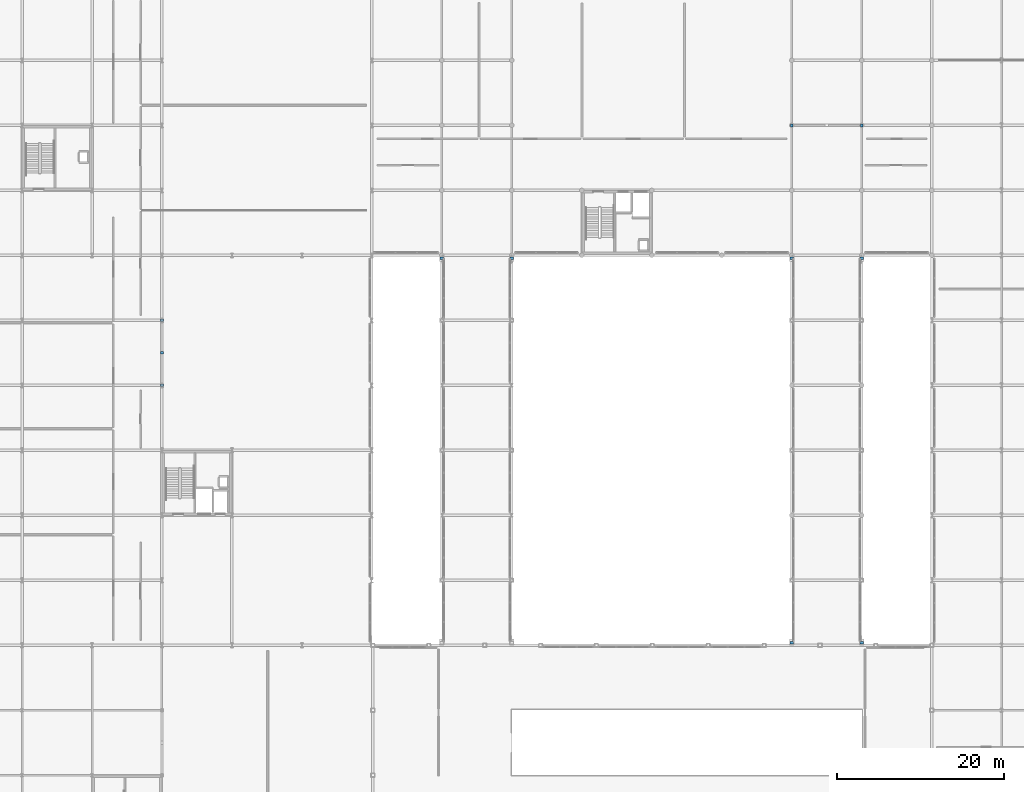
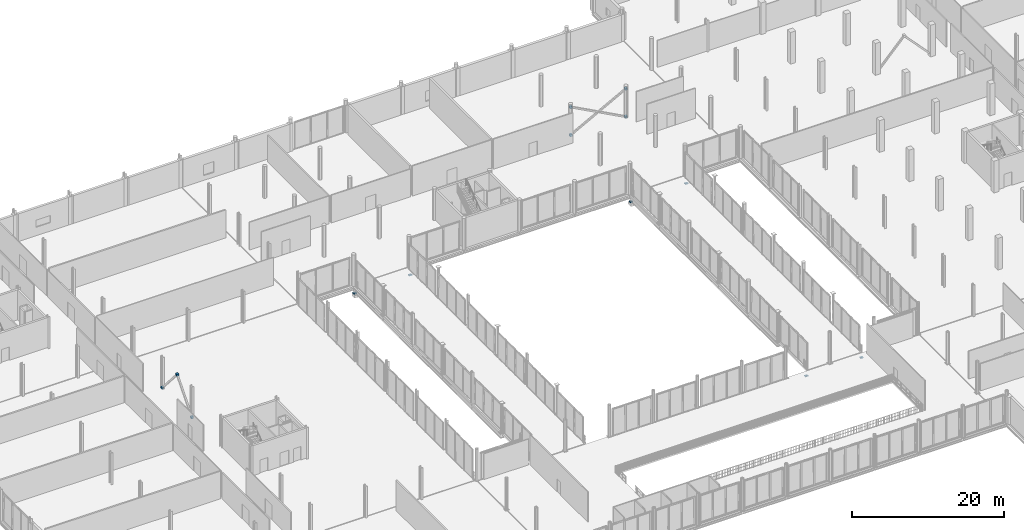
# One storey, part 89 of 105: 13 discrete accessories.
"""IFC4 building model written with IfcOpenShell, lengths in metres."""

from ifc_helpers import new_model, si_unit, direction, frame, origin, origin_2d, place, context, subcontext, project, spatial, rectangle, extrude, material, layer, layer_set, type_object, element, save


model = new_model("IFC4")

# Units and contexts
model_context = context("Model", 3, precision=1e-05, world=origin(), true_north=direction((0.0, 1.0)))
body_context = subcontext(model_context, "Body", "Model", "MODEL_VIEW")
ifc_project = project(units=[si_unit("LENGTHUNIT", "METRE"), si_unit("AREAUNIT", "SQUARE_METRE"), si_unit("VOLUMEUNIT", "CUBIC_METRE"), si_unit("PLANEANGLEUNIT", "RADIAN"), si_unit("MASSUNIT", "GRAM", prefix="KILO")], contexts=[model_context])

# Site, building, storey
site_placement = place(None, origin())
site = spatial("IfcSite", under=ifc_project, at=site_placement, CompositionType="ELEMENT")
building_placement = place(site_placement, origin())
building = spatial("IfcBuilding", under=site, at=building_placement, Name="Nabrawat Pavilion Hospital", CompositionType="ELEMENT")
storey_placement = place(building_placement, frame((0.0, 0.0, 5.10009765625)))
storey = spatial("IfcBuildingStorey", under=building, at=storey_placement, Name="L01", CompositionType="ELEMENT", Elevation=5.10009765625)

# Discrete accessories
ifc_material = material(Name="Steel S355", Category="steel")
ifc_layer_1 = layer(ifc_material, 0.02001953125, Name="Steel S355")
ifc_layer_set_1 = layer_set([ifc_layer_1], Name="Steel S355")
discrete_accessory_type_1 = type_object("IfcDiscreteAccessoryType", Name="Brace and Strut Gusset End Bracket 20", PredefinedType="BRACKET", material=ifc_layer_set_1)
for number, where, z_axis, x_axis, name in (
    (1, (109.199951171875, 101.39990234375, -0.1201171875), (0.0, 0.0, 1.0), (1.0, 0.0, 0.0), "L01 Brace and Strut Gusset End Connection 0025"),
    (2, (117.60009765625, 101.39990234375, 4.3798828125), (0.0, 0.0, 1.0), (1.0, 0.0, 0.0), "L01 Brace and Strut Gusset End Connection 0026"),
    (3, (109.199951171875, 101.39990234375, 4.3798828125), (0.0, 0.0, 1.0), (1.0, 0.0, 0.0), "L01 Brace and Strut Gusset End Connection 0027"),
    (4, (117.60009765625, 101.39990234375, -0.1201171875), (0.0, 0.0, 1.0), (1.0, 0.0, 0.0), "L01 Brace and Strut Gusset End Connection 0028"),
    (5, (33.60009765625, 74.10009765625, 4.3798828125), (0.0, 0.0, 1.0), (1.0, 0.0, 0.0), "L01 Brace and Strut Gusset End Connection 0039"),
    (6, (33.60009765625, 70.199951171875, -0.1201171875), (0.0, 0.0, 1.0), (1.0, 0.0, 0.0), "L01 Brace and Strut Gusset End Connection 0040"),
    (7, (33.60009765625, 78.0, -0.1201171875), (0.0, 0.0, 1.0), (1.0, 0.0, 0.0), "L01 Brace and Strut Gusset End Connection 0041"),
):
    element("IfcDiscreteAccessory", number, at=place(storey_placement, frame(where, z_axis=z_axis, x_axis=x_axis)), inside=storey, type_object=discrete_accessory_type_1, Name=name, PredefinedType="BRACKET", context=body_context, shape_type="SweptSolid", body=[
        extrude(rectangle(XDim=0.340087890625, YDim=0.340087890625, at=origin_2d()), origin(), (0.0, 0.0, 1.0), 0.340087890625),
    ])
ifc_layer_2 = layer(ifc_material, 0.139892578125, Name="Steel S355")
ifc_layer_set_2 = layer_set([ifc_layer_2], Name="Steel S355")
discrete_accessory_type_2 = type_object("IfcDiscreteAccessoryType", Name="PTFE Elastomeric Bridge Sliding Bearing", PredefinedType="BRACKET", material=ifc_layer_set_2)
for number, where, z_axis, x_axis, name in (
    (8, (67.199951171875, 85.47998046875, -1.080078125), (0.0, 0.0, 1.0), (1.0, 0.0, 0.0), "L01 Courtyard Link Bridge PTFE Sliding Bearing N 02"),
    (9, (75.60009765625, 85.47998046875, -1.080078125), (0.0, 0.0, 1.0), (1.0, 0.0, 0.0), "L01 Courtyard Link Bridge PTFE Sliding Bearing N 04"),
    (10, (109.199951171875, 39.320068359375, -1.080078125), (0.0, 0.0, 1.0), (1.0, 0.0, 0.0), "L01 Courtyard Link Bridge PTFE Sliding Bearing S 05"),
    (11, (109.199951171875, 85.47998046875, -1.080078125), (0.0, 0.0, 1.0), (1.0, 0.0, 0.0), "L01 Courtyard Link Bridge PTFE Sliding Bearing N 06"),
    (12, (117.60009765625, 39.320068359375, -1.080078125), (0.0, 0.0, 1.0), (1.0, 0.0, 0.0), "L01 Courtyard Link Bridge PTFE Sliding Bearing S 07"),
    (13, (117.60009765625, 85.47998046875, -1.080078125), (0.0, 0.0, 1.0), (1.0, 0.0, 0.0), "L01 Courtyard Link Bridge PTFE Sliding Bearing N 08"),
):
    element("IfcDiscreteAccessory", number, at=place(storey_placement, frame(where, z_axis=z_axis, x_axis=x_axis)), inside=storey, type_object=discrete_accessory_type_2, Name=name, PredefinedType="BRACKET", context=body_context, shape_type="SweptSolid", body=[
        extrude(rectangle(XDim=0.39990234375, YDim=0.300048828125, at=origin_2d()), origin(), (0.0, 0.0, 1.0), 0.139892578125),
    ])

save(model, "model.ifc")
